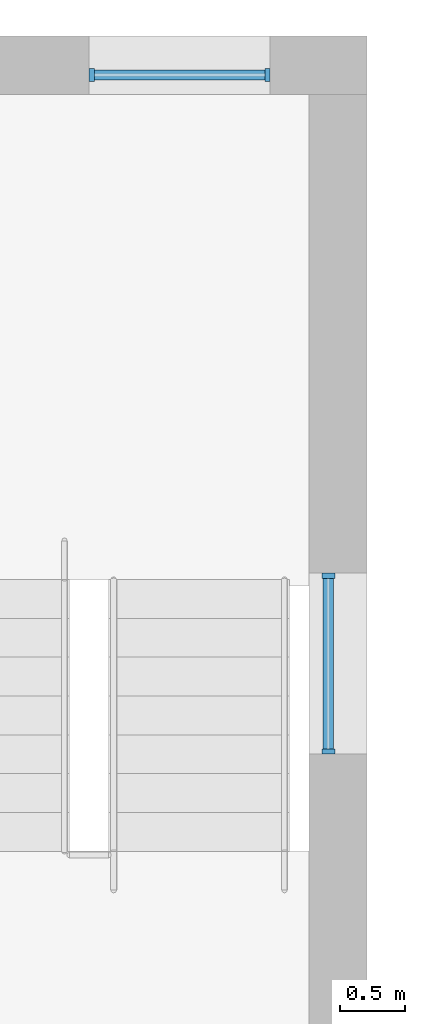
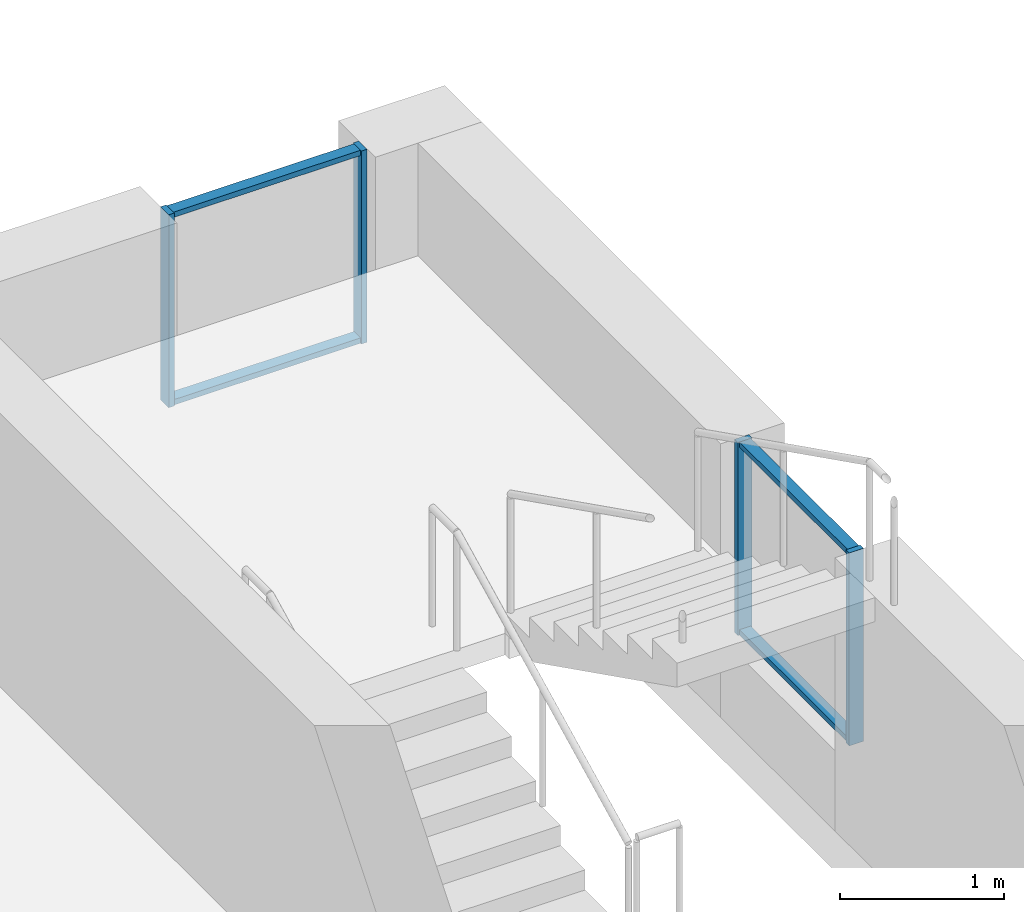
# One storey, part 18 of 48: 8 members, 2 elements without a shape of their own.
"""IFC4 building model written with IfcOpenShell, lengths in metres."""

from ifc_helpers import new_model, si_unit, direction, frame, origin, origin_2d, place, context, subcontext, project, spatial, rectangle, extrude, material, material_profile, profile_set, type_object, element, aggregate, save


model = new_model("IFC4")

# Units and contexts
model_context = context("Model", 3, precision=1e-05, world=origin(), true_north=direction((0.0, 1.0)))
body_context = subcontext(model_context, "Body", "Model", "MODEL_VIEW")
ifc_project = project(units=[si_unit("LENGTHUNIT", "METRE"), si_unit("AREAUNIT", "SQUARE_METRE"), si_unit("VOLUMEUNIT", "CUBIC_METRE"), si_unit("PLANEANGLEUNIT", "RADIAN"), si_unit("MASSUNIT", "GRAM", prefix="KILO")], contexts=[model_context])

# Site, building, storey
site_placement = place(None, origin())
site = spatial("IfcSite", under=ifc_project, at=site_placement, CompositionType="ELEMENT")
building_placement = place(site_placement, origin())
building = spatial("IfcBuilding", under=site, at=building_placement, Name="Yavir Park General Hospital", CompositionType="ELEMENT")
storey_placement = place(building_placement, frame((0.0, 0.0, 12.89990234375)))
storey = spatial("IfcBuildingStorey", under=building, at=storey_placement, Name="I02", CompositionType="ELEMENT", Elevation=12.89990234375)

# Curtain wall, members
ifc_material_1 = material(Name="Aluminium curtain wall frame with insulated glazing", Category="aluminium")
curtain_wall_type = type_object("IfcCurtainWallType", Name="Stair light slot, interstitial floor, 1440 high, 1400 module", PredefinedType="NOTDEFINED", material=ifc_material_1)
curtain_wall_1_placement = place(storey_placement, origin())
curtain_wall_1 = element("IfcCurtainWall", 1, at=curtain_wall_1_placement, inside=storey, type_object=curtain_wall_type, Name="CW12 I02-007", PredefinedType="NOTDEFINED")
ifc_material_2 = material(Name="Aluminium", Category="aluminium")
ifc_material_profile_1 = material_profile(ifc_material_2, rectangle(XDim=0.10009765625, YDim=0.0400390625, at=origin_2d()), Name="AL 40x100")
ifc_profile_set_1 = profile_set([ifc_material_profile_1], Name="Aluminium")
member_type_1 = type_object("IfcMemberType", Name="Stair light slot, interstitial floor, 1440 high mullion 40 x 100", PredefinedType="MULLION", material=ifc_profile_set_1)
member_1_placement = place(storey_placement, frame((23.3701171875, 117.60009765625, 0.60009765625), z_axis=(0.0, 0.0, 1.0), x_axis=(0.0, 1.0, 0.0)))
member_1 = element("IfcMember", 2, at=member_1_placement, type_object=member_type_1, Name="CW12 mullion 1", PredefinedType="MULLION", context=body_context, shape_type="SweptSolid", body=[
    extrude(rectangle(XDim=0.10009765625, YDim=0.0400390625, at=origin_2d()), origin(), (0.0, 0.0, 1.0), 1.43994140625),
])
member_2_placement = place(storey_placement, frame((24.72998046875, 117.60009765625, 0.60009765625), z_axis=(0.0, 0.0, 1.0), x_axis=(0.0, 1.0, 0.0)))
member_2 = element("IfcMember", 3, at=member_2_placement, type_object=member_type_1, Name="CW12 mullion 2", PredefinedType="MULLION", context=body_context, shape_type="SweptSolid", body=[
    extrude(rectangle(XDim=0.10009765625, YDim=0.0400390625, at=origin_2d()), origin(), (0.0, 0.0, 1.0), 1.43994140625),
])

curtain_wall_2_placement = place(storey_placement, origin())
curtain_wall_2 = element("IfcCurtainWall", 4, at=curtain_wall_2_placement, inside=storey, type_object=curtain_wall_type, Name="CW12 I02-011", PredefinedType="NOTDEFINED")
member_3_placement = place(storey_placement, frame((25.199951171875, 112.3701171875, 0.60009765625), z_axis=(0.0, 0.0, 1.0), x_axis=(-1.0, 0.0, 0.0)))
member_3 = element("IfcMember", 5, at=member_3_placement, type_object=member_type_1, Name="CW12 mullion 1", PredefinedType="MULLION", context=body_context, shape_type="SweptSolid", body=[
    extrude(rectangle(XDim=0.10009765625, YDim=0.0400390625, at=origin_2d()), origin(), (0.0, 0.0, 1.0), 1.43994140625),
])
member_4_placement = place(storey_placement, frame((25.199951171875, 113.72998046875, 0.60009765625), z_axis=(0.0, 0.0, 1.0), x_axis=(-1.0, 0.0, 0.0)))
member_4 = element("IfcMember", 6, at=member_4_placement, type_object=member_type_1, Name="CW12 mullion 2", PredefinedType="MULLION", context=body_context, shape_type="SweptSolid", body=[
    extrude(rectangle(XDim=0.10009765625, YDim=0.0400390625, at=origin_2d()), origin(), (0.0, 0.0, 1.0), 1.43994140625),
])

# Member
ifc_material_3 = material(Name="Aluminium", Category="aluminium")
ifc_material_profile_2 = material_profile(ifc_material_3, rectangle(XDim=0.080078125, YDim=0.0400390625, at=origin_2d()), Name="AL 80x40")
ifc_profile_set_2 = profile_set([ifc_material_profile_2], Name="Aluminium")
member_type_2 = type_object("IfcMemberType", Name="Stair light slot, interstitial floor, 1440 high transom 40 x 80", PredefinedType="MULLION", material=ifc_profile_set_2)
member_5_placement = place(storey_placement, frame((23.389892578125, 117.60009765625, 0.6201171875), z_axis=(1.0, 0.0, 0.0), x_axis=(0.0, 1.0, 0.0)))
member_5 = element("IfcMember", 7, at=member_5_placement, type_object=member_type_2, Name="CW12 transom 1.1", PredefinedType="MULLION", context=body_context, shape_type="SweptSolid", body=[
    extrude(rectangle(XDim=0.080078125, YDim=0.0400390625, at=origin_2d()), origin(), (0.0, 0.0, 1.0), 1.320068359375),
])

member_6_placement = place(storey_placement, frame((23.389892578125, 117.60009765625, 2.02001953125), z_axis=(1.0, 0.0, 0.0), x_axis=(0.0, 1.0, 0.0)))
member_6 = element("IfcMember", 8, at=member_6_placement, type_object=member_type_2, Name="CW12 transom 1.2", PredefinedType="MULLION", context=body_context, shape_type="SweptSolid", body=[
    extrude(rectangle(XDim=0.080078125, YDim=0.0400390625, at=origin_2d()), origin(), (0.0, 0.0, 1.0), 1.320068359375),
])

aggregate(curtain_wall_1, [member_1, member_2, member_5, member_6])

member_7_placement = place(storey_placement, frame((25.199951171875, 112.389892578125, 0.6201171875), z_axis=(0.0, 1.0, 0.0), x_axis=(-1.0, 0.0, 0.0)))
member_7 = element("IfcMember", 9, at=member_7_placement, type_object=member_type_2, Name="CW12 transom 1.1", PredefinedType="MULLION", context=body_context, shape_type="SweptSolid", body=[
    extrude(rectangle(XDim=0.080078125, YDim=0.0400390625, at=origin_2d()), origin(), (0.0, 0.0, 1.0), 1.320068359375),
])

member_8_placement = place(storey_placement, frame((25.199951171875, 112.389892578125, 2.02001953125), z_axis=(0.0, 1.0, 0.0), x_axis=(-1.0, 0.0, 0.0)))
member_8 = element("IfcMember", 10, at=member_8_placement, type_object=member_type_2, Name="CW12 transom 1.2", PredefinedType="MULLION", context=body_context, shape_type="SweptSolid", body=[
    extrude(rectangle(XDim=0.080078125, YDim=0.0400390625, at=origin_2d()), origin(), (0.0, 0.0, 1.0), 1.320068359375),
])

aggregate(curtain_wall_2, [member_3, member_4, member_7, member_8])

save(model, "model.ifc")
